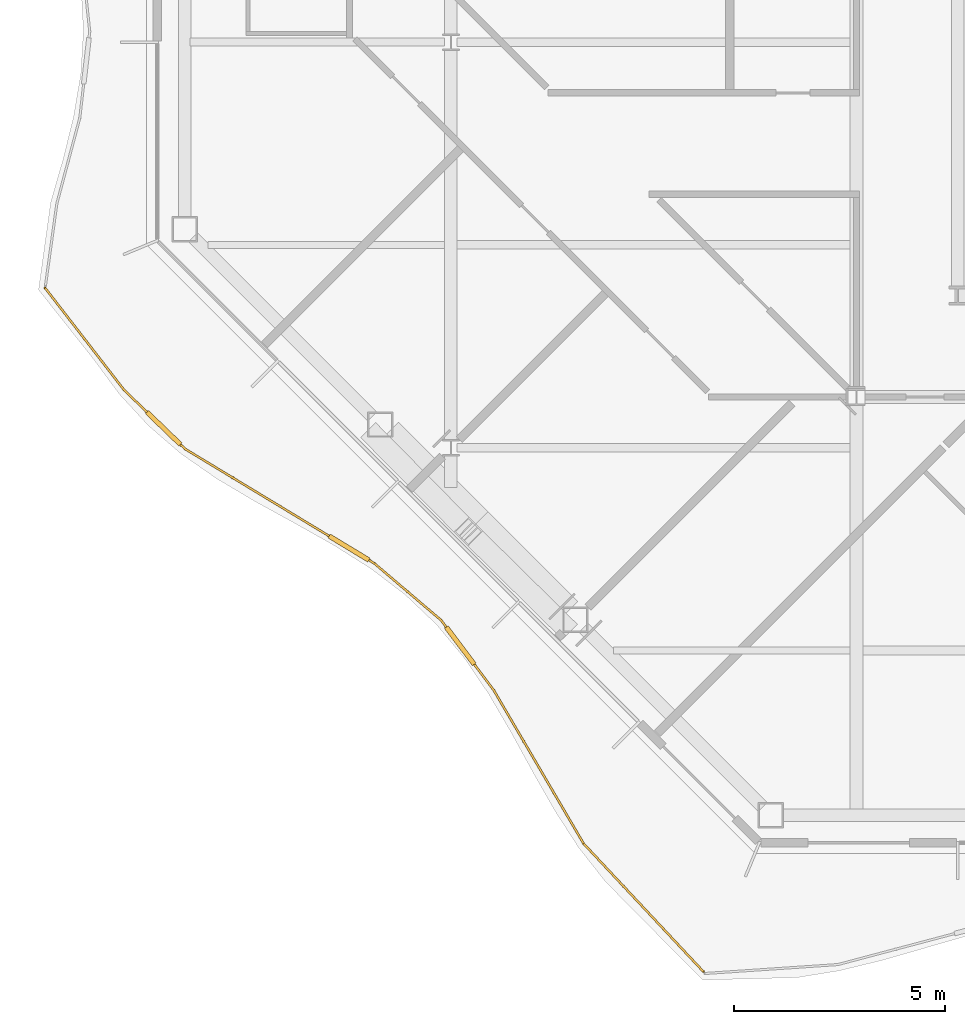
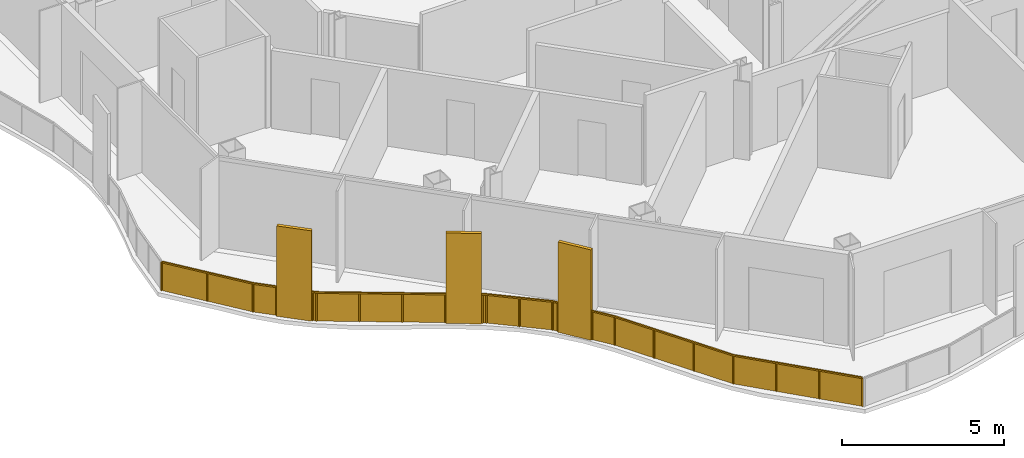
# One storey, part 15 of 21: 1 railing.
"""IFC4 building model written with IfcOpenShell, lengths in metres."""

from ifc_helpers import new_model, si_unit, direction, frame, origin, origin_2d, place, context, subcontext, project, spatial, polyline, rectangle, outline, extrude, material, type_object, element, save


model = new_model("IFC4")

# Units and contexts
model_context = context("Model", 3, precision=1e-05, world=origin(), true_north=direction((0.0, 1.0)))
body_context = subcontext(model_context, "Body", "Model", "MODEL_VIEW")
ifc_project = project(units=[si_unit("LENGTHUNIT", "METRE"), si_unit("AREAUNIT", "SQUARE_METRE"), si_unit("VOLUMEUNIT", "CUBIC_METRE"), si_unit("PLANEANGLEUNIT", "RADIAN"), si_unit("MASSUNIT", "GRAM", prefix="KILO")], contexts=[model_context])

# Site, building, storey
site_placement = place(None, origin())
site = spatial("IfcSite", under=ifc_project, at=site_placement, CompositionType="ELEMENT")
building_placement = place(site_placement, origin())
building = spatial("IfcBuilding", under=site, at=building_placement, Name="Cairn Pilgrim Tower", CompositionType="ELEMENT")
storey_placement = place(building_placement, frame((0.0, 0.0, 168.60009765625)))
storey = spatial("IfcBuildingStorey", under=building, at=storey_placement, Name="L42", CompositionType="ELEMENT", Elevation=168.60009765625)

# Railing
ifc_material = material(Name="Bronze anodised aluminium rail, posts and fin screens with laminated glass infill", Category="aluminium")
railing_type = type_object("IfcRailingType", Name="BALCONY GUARD WITH FIN SCREENS", PredefinedType="GUARDRAIL", material=ifc_material)
railing_placement = place(storey_placement, frame((-24.005126953125, -5.819580078125, 0.0)))
element("IfcRailing", 1, at=railing_placement, inside=storey, type_object=railing_type, Name="Balcony guard BGF-8 with fin screens", PredefinedType="GUARDRAIL", context=body_context, shape_type="SweptSolid", body=[
    extrude(rectangle(XDim=0.050048828125, YDim=0.050048828125, at=origin_2d()), frame((0.0, 0.0, 1.0751953125), z_axis=(0.612165117841, -0.790729959278, 0.0), x_axis=(0.790729959278, 0.612165117841, 0.0)), (0.0, 0.0, 1.0), 3.048828125),
    extrude(rectangle(XDim=1.10009765625, YDim=0.110107421875, at=origin_2d()), frame((2.807373046875, -3.32080078125, 0.0), z_axis=(0.0, 0.0, 1.0), x_axis=(0.718856780035, -0.695158204869, 0.0)), (0.0, 0.0, 1.0), 3.39990234375),
    extrude(rectangle(XDim=0.050048828125, YDim=0.050048828125, at=origin_2d()), frame((1.866455078125, -2.410888671875, 1.0751953125), z_axis=(0.718856780035, -0.695158204869, 0.0), x_axis=(0.695158204869, 0.718856780035, 0.0)), (0.0, 0.0, 1.0), 0.759033203125),
    extrude(rectangle(XDim=0.050048828125, YDim=0.050048828125, at=origin_2d()), frame((3.202880859375, -3.703125, 1.0751953125), z_axis=(0.718856780035, -0.695158204869, 0.0), x_axis=(0.695158204869, 0.718856780035, 0.0)), (0.0, 0.0, 1.0), 0.14990234375),
    extrude(rectangle(XDim=1.10009765625, YDim=0.110107421875, at=origin_2d()), frame((7.1943359375, -6.156005859375, 0.0), z_axis=(0.0, 0.0, 1.0), x_axis=(0.855690711197, -0.517487590934, 0.0)), (0.0, 0.0, 1.0), 3.39990234375),
    extrude(rectangle(XDim=0.050048828125, YDim=0.050048828125, at=origin_2d()), frame((3.310546875, -3.807373046875, 1.0751953125), z_axis=(0.855690711197, -0.517487590934, 0.0), x_axis=(0.517487590934, 0.855690711197, 0.0)), (0.0, 0.0, 1.0), 3.98876953125),
    extrude(rectangle(XDim=0.050048828125, YDim=0.050048828125, at=origin_2d()), frame((7.664794921875, -6.440673828125, 1.0751953125), z_axis=(0.855690711197, -0.517487590934, 0.0), x_axis=(0.517487590934, 0.855690711197, 0.0)), (0.0, 0.0, 1.0), 0.14990234375),
    extrude(rectangle(XDim=0.050048828125, YDim=0.050048828125, at=origin_2d()), frame((7.793212890625, -6.518310546875, 1.0751953125), z_axis=(0.761514638279, -0.648147711318, 0.0), x_axis=(0.648147711318, 0.761514638279, 0.0)), (0.0, 0.0, 1.0), 2.07177734375),
    extrude(rectangle(XDim=1.10009765625, YDim=0.110107421875, at=origin_2d()), frame((9.826904296875, -8.467529296875, 0.0), z_axis=(0.0, 0.0, 1.0), x_axis=(0.60110641828, -0.799168989578, 0.0)), (0.0, 0.0, 1.0), 3.39990234375),
    extrude(rectangle(XDim=0.050048828125, YDim=0.050048828125, at=origin_2d()), frame((9.370849609375, -7.861083984375, 1.0751953125), z_axis=(0.60110641828, -0.799168989578, 0.0), x_axis=(0.799168989578, 0.60110641828, 0.0)), (0.0, 0.0, 1.0), 0.208740234375),
    extrude(rectangle(XDim=0.050048828125, YDim=0.050048828125, at=origin_2d()), frame((10.157470703125, -8.906982421875, 1.0751953125), z_axis=(0.60110641828, -0.799168989578, 0.0), x_axis=(0.799168989578, 0.60110641828, 0.0)), (0.0, 0.0, 1.0), 0.773193359375),
    extrude(rectangle(XDim=0.050048828125, YDim=0.050048828125, at=origin_2d()), frame((10.622314453125, -9.52490234375, 1.0751953125), z_axis=(0.505340687517, -0.862919920699, 0.0), x_axis=(0.862919920699, 0.505340687517, 0.0)), (0.0, 0.0, 1.0), 4.20166015625),
    extrude(rectangle(XDim=0.050048828125, YDim=0.050048828125, at=origin_2d()), frame((12.74560546875, -13.150634765625, 1.0751953125), z_axis=(0.683285589694, -0.730151219211, 0.0), x_axis=(0.730151219211, 0.683285589694, 0.0)), (0.0, 0.0, 1.0), 4.15185546875),
    extrude(rectangle(XDim=0.050048828125, YDim=0.050048828125, at=origin_2d()), origin(), (0.0, 0.0, 1.0), 1.050048828125),
    extrude(rectangle(XDim=0.050048828125, YDim=0.050048828125, at=origin_2d()), frame((0.93310546875, -1.20556640625, 0.0)), (0.0, 0.0, 1.0), 1.050048828125),
    extrude(rectangle(XDim=0.050048828125, YDim=0.050048828125, at=origin_2d()), frame((1.866455078125, -2.410888671875, 0.0)), (0.0, 0.0, 1.0), 1.050048828125),
    extrude(rectangle(XDim=0.050048828125, YDim=0.050048828125, at=origin_2d()), frame((2.39404296875, -2.921142578125, 0.0)), (0.0, 0.0, 1.0), 1.050048828125),
    extrude(rectangle(XDim=0.050048828125, YDim=0.050048828125, at=origin_2d()), frame((3.220947265625, -3.720703125, 0.0)), (0.0, 0.0, 1.0), 1.050048828125),
    extrude(rectangle(XDim=0.050048828125, YDim=0.050048828125, at=origin_2d()), frame((3.310546875, -3.807373046875, 0.0)), (0.0, 0.0, 1.0), 1.050048828125),
    extrude(rectangle(XDim=0.050048828125, YDim=0.050048828125, at=origin_2d()), frame((4.441162109375, -4.490966796875, 0.0)), (0.0, 0.0, 1.0), 1.050048828125),
    extrude(rectangle(XDim=0.050048828125, YDim=0.050048828125, at=origin_2d()), frame((5.57177734375, -5.1748046875, 0.0)), (0.0, 0.0, 1.0), 1.050048828125),
    extrude(rectangle(XDim=0.050048828125, YDim=0.050048828125, at=origin_2d()), frame((6.7021484375, -5.8583984375, 0.0)), (0.0, 0.0, 1.0), 1.050048828125),
    extrude(rectangle(XDim=0.050048828125, YDim=0.050048828125, at=origin_2d()), frame((7.686279296875, -6.45361328125, 0.0)), (0.0, 0.0, 1.0), 1.050048828125),
    extrude(rectangle(XDim=0.050048828125, YDim=0.050048828125, at=origin_2d()), frame((7.793212890625, -6.518310546875, 0.0)), (0.0, 0.0, 1.0), 1.050048828125),
    extrude(rectangle(XDim=0.050048828125, YDim=0.050048828125, at=origin_2d()), frame((8.58203125, -7.189697265625, 0.0)), (0.0, 0.0, 1.0), 1.050048828125),
    extrude(rectangle(XDim=0.050048828125, YDim=0.050048828125, at=origin_2d()), frame((9.370849609375, -7.861083984375, 0.0)), (0.0, 0.0, 1.0), 1.050048828125),
    extrude(rectangle(XDim=0.050048828125, YDim=0.050048828125, at=origin_2d()), frame((9.481201171875, -8.0078125, 0.0)), (0.0, 0.0, 1.0), 1.050048828125),
    extrude(rectangle(XDim=0.050048828125, YDim=0.050048828125, at=origin_2d()), frame((10.172607421875, -8.927001953125, 0.0)), (0.0, 0.0, 1.0), 1.050048828125),
    extrude(rectangle(XDim=0.050048828125, YDim=0.050048828125, at=origin_2d()), frame((10.622314453125, -9.52490234375, 0.0)), (0.0, 0.0, 1.0), 1.050048828125),
    extrude(rectangle(XDim=0.050048828125, YDim=0.050048828125, at=origin_2d()), frame((11.330078125, -10.7333984375, 0.0)), (0.0, 0.0, 1.0), 1.050048828125),
    extrude(rectangle(XDim=0.050048828125, YDim=0.050048828125, at=origin_2d()), frame((12.037841796875, -11.942138671875, 0.0)), (0.0, 0.0, 1.0), 1.050048828125),
    extrude(rectangle(XDim=0.050048828125, YDim=0.050048828125, at=origin_2d()), frame((12.74560546875, -13.150634765625, 0.0)), (0.0, 0.0, 1.0), 1.050048828125),
    extrude(rectangle(XDim=0.050048828125, YDim=0.050048828125, at=origin_2d()), frame((13.691162109375, -14.1611328125, 0.0)), (0.0, 0.0, 1.0), 1.050048828125),
    extrude(rectangle(XDim=0.050048828125, YDim=0.050048828125, at=origin_2d()), frame((14.636962890625, -15.171630859375, 0.0)), (0.0, 0.0, 1.0), 1.050048828125),
    extrude(rectangle(XDim=0.050048828125, YDim=0.050048828125, at=origin_2d()), frame((15.58251953125, -16.18212890625, 0.0)), (0.0, 0.0, 1.0), 1.050048828125),
    extrude(outline(polyline([(0.02490234375, 0.0), (1.49951171875, 0.0), (1.49951171875, 1.050048828125), (0.02490234375, 1.050048828125), (0.02490234375, 0.0)])), frame((0.004638671875, 0.003662109375, 0.0), z_axis=(-0.790729959278, -0.612165117841, 0.0), x_axis=(0.612165117841, -0.790729959278, 0.0)), (0.0, 0.0, 1.0), 0.011962890625),
    extrude(outline(polyline([(0.02490234375, 0.0), (1.49951171875, 0.0), (1.49951171875, 1.050048828125), (0.02490234375, 1.050048828125), (0.02490234375, 0.0)])), frame((0.93798828125, -1.201904296875, 0.0), z_axis=(-0.790729959278, -0.612165117841, 0.0), x_axis=(0.612165117841, -0.790729959278, 0.0)), (0.0, 0.0, 1.0), 0.011962890625),
    extrude(outline(polyline([(0.02490234375, 0.0), (0.708984375, 0.0), (0.708984375, 1.050048828125), (0.02490234375, 1.050048828125), (0.02490234375, 0.0)])), frame((1.87060546875, -2.406494140625, 0.0), z_axis=(-0.695158204869, -0.718856780035, 0.0), x_axis=(0.718856780035, -0.695158204869, 0.0)), (0.0, 0.0, 1.0), 0.011962890625),
    extrude(outline(polyline([(0.02490234375, 0.0), (0.099853515625, 0.0), (0.099853515625, 1.050048828125), (0.02490234375, 1.050048828125), (0.02490234375, 0.0)])), frame((3.22509765625, -3.71630859375, 0.0), z_axis=(-0.695158204869, -0.718856780035, 0.0), x_axis=(0.718856780035, -0.695158204869, 0.0)), (0.0, 0.0, 1.0), 0.011962890625),
    extrude(outline(polyline([(0.02490234375, 0.0), (1.296142578125, 0.0), (1.296142578125, 1.050048828125), (0.02490234375, 1.050048828125), (0.02490234375, 0.0)])), frame((3.313720703125, -3.80224609375, 0.0), z_axis=(-0.517487590934, -0.855690711197, 0.0), x_axis=(0.855690711197, -0.517487590934, 0.0)), (0.0, 0.0, 1.0), 0.011962890625),
    extrude(outline(polyline([(0.02490234375, 0.0), (1.296142578125, 0.0), (1.296142578125, 1.050048828125), (0.02490234375, 1.050048828125), (0.02490234375, 0.0)])), frame((4.444091796875, -4.486083984375, 0.0), z_axis=(-0.517487590934, -0.855690711197, 0.0), x_axis=(0.855690711197, -0.517487590934, 0.0)), (0.0, 0.0, 1.0), 0.011962890625),
    extrude(outline(polyline([(0.02490234375, 0.0), (1.296142578125, 0.0), (1.296142578125, 1.050048828125), (0.02490234375, 1.050048828125), (0.02490234375, 0.0)])), frame((5.57470703125, -5.169677734375, 0.0), z_axis=(-0.517487590934, -0.855690711197, 0.0), x_axis=(0.855690711197, -0.517487590934, 0.0)), (0.0, 0.0, 1.0), 0.011962890625),
    extrude(outline(polyline([(0.02490234375, 0.0), (0.099853515625, 0.0), (0.099853515625, 1.050048828125), (0.02490234375, 1.050048828125), (0.02490234375, 0.0)])), frame((7.689453125, -6.448486328125, 0.0), z_axis=(-0.517487590934, -0.855690711197, 0.0), x_axis=(0.855690711197, -0.517487590934, 0.0)), (0.0, 0.0, 1.0), 0.011962890625),
    extrude(outline(polyline([(0.02490234375, 0.0), (1.0107421875, 0.0), (1.0107421875, 1.050048828125), (0.02490234375, 1.050048828125), (0.02490234375, 0.0)])), frame((7.797119140625, -6.513671875, 0.0), z_axis=(-0.648147711318, -0.761514638279, 0.0), x_axis=(0.761514638279, -0.648147711318, 0.0)), (0.0, 0.0, 1.0), 0.011962890625),
    extrude(outline(polyline([(0.02490234375, 0.0), (1.0107421875, 0.0), (1.0107421875, 1.050048828125), (0.02490234375, 1.050048828125), (0.02490234375, 0.0)])), frame((8.5859375, -7.18505859375, 0.0), z_axis=(-0.648147711318, -0.761514638279, 0.0), x_axis=(0.761514638279, -0.648147711318, 0.0)), (0.0, 0.0, 1.0), 0.011962890625),
    extrude(outline(polyline([(0.02490234375, 0.0), (0.15869140625, 0.0), (0.15869140625, 1.050048828125), (0.02490234375, 1.050048828125), (0.02490234375, 0.0)])), frame((9.375732421875, -7.857421875, 0.0), z_axis=(-0.799168989578, -0.60110641828, 0.0), x_axis=(0.60110641828, -0.799168989578, 0.0)), (0.0, 0.0, 1.0), 0.011962890625),
    extrude(outline(polyline([(0.02490234375, 0.0), (0.72314453125, 0.0), (0.72314453125, 1.050048828125), (0.02490234375, 1.050048828125), (0.02490234375, 0.0)])), frame((10.17724609375, -8.92333984375, 0.0), z_axis=(-0.799168989578, -0.60110641828, 0.0), x_axis=(0.60110641828, -0.799168989578, 0.0)), (0.0, 0.0, 1.0), 0.011962890625),
    extrude(outline(polyline([(0.02490234375, 0.0), (1.37548828125, 0.0), (1.37548828125, 1.050048828125), (0.02490234375, 1.050048828125), (0.02490234375, 0.0)])), frame((10.62744140625, -9.52197265625, 0.0), z_axis=(-0.862919920699, -0.505340687517, 0.0), x_axis=(0.505340687517, -0.862919920699, 0.0)), (0.0, 0.0, 1.0), 0.011962890625),
    extrude(outline(polyline([(0.02490234375, 0.0), (1.37548828125, 0.0), (1.37548828125, 1.050048828125), (0.02490234375, 1.050048828125), (0.02490234375, 0.0)])), frame((11.335205078125, -10.73046875, 0.0), z_axis=(-0.862919920699, -0.505340687517, 0.0), x_axis=(0.505340687517, -0.862919920699, 0.0)), (0.0, 0.0, 1.0), 0.011962890625),
    extrude(outline(polyline([(0.02490234375, 0.0), (1.37548828125, 0.0), (1.37548828125, 1.050048828125), (0.02490234375, 1.050048828125), (0.02490234375, 0.0)])), frame((12.04296875, -11.93896484375, 0.0), z_axis=(-0.862919920699, -0.505340687517, 0.0), x_axis=(0.505340687517, -0.862919920699, 0.0)), (0.0, 0.0, 1.0), 0.011962890625),
    extrude(outline(polyline([(0.02490234375, 0.0), (1.35888671875, 0.0), (1.35888671875, 1.050048828125), (0.02490234375, 1.050048828125), (0.02490234375, 0.0)])), frame((12.75, -13.146484375, 0.0), z_axis=(-0.730151219211, -0.683285589694, 0.0), x_axis=(0.683285589694, -0.730151219211, 0.0)), (0.0, 0.0, 1.0), 0.011962890625),
    extrude(outline(polyline([(0.02490234375, 0.0), (1.35888671875, 0.0), (1.35888671875, 1.050048828125), (0.02490234375, 1.050048828125), (0.02490234375, 0.0)])), frame((13.695556640625, -14.156982421875, 0.0), z_axis=(-0.730151219211, -0.683285589694, 0.0), x_axis=(0.683285589694, -0.730151219211, 0.0)), (0.0, 0.0, 1.0), 0.011962890625),
    extrude(outline(polyline([(0.02490234375, 0.0), (1.35888671875, 0.0), (1.35888671875, 1.050048828125), (0.02490234375, 1.050048828125), (0.02490234375, 0.0)])), frame((14.641357421875, -15.16748046875, 0.0), z_axis=(-0.730151219211, -0.683285589694, 0.0), x_axis=(0.683285589694, -0.730151219211, 0.0)), (0.0, 0.0, 1.0), 0.011962890625),
])

save(model, "model.ifc")
